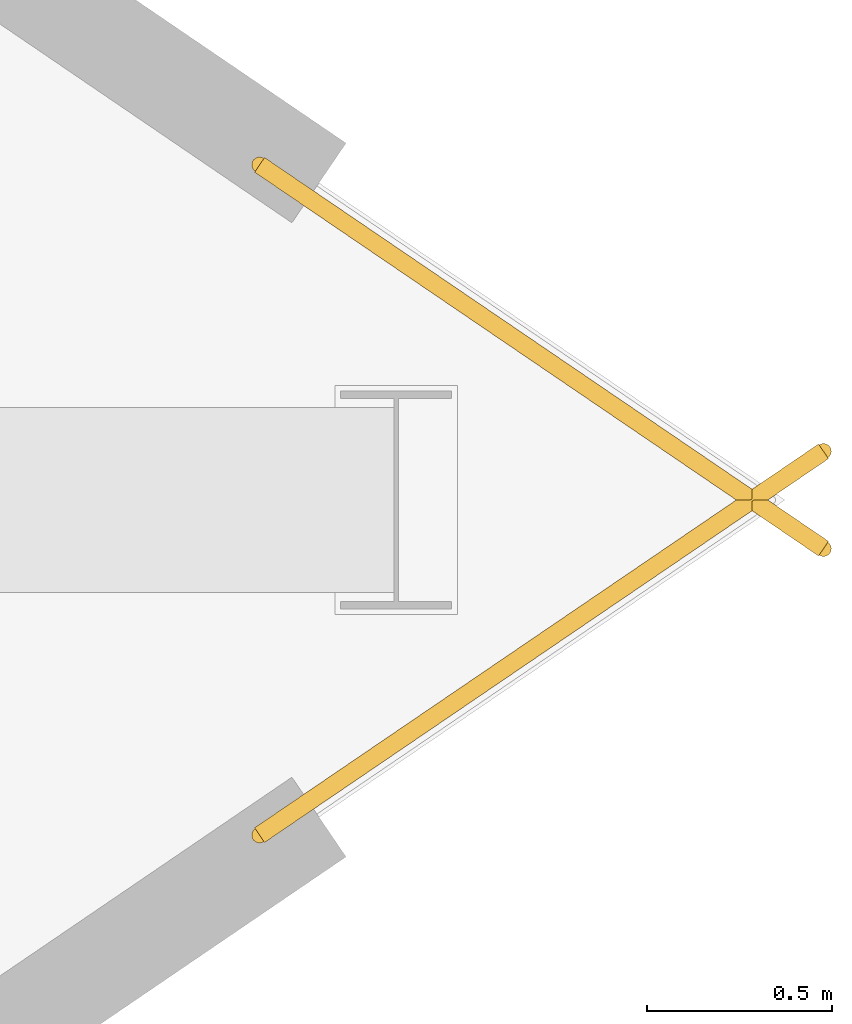
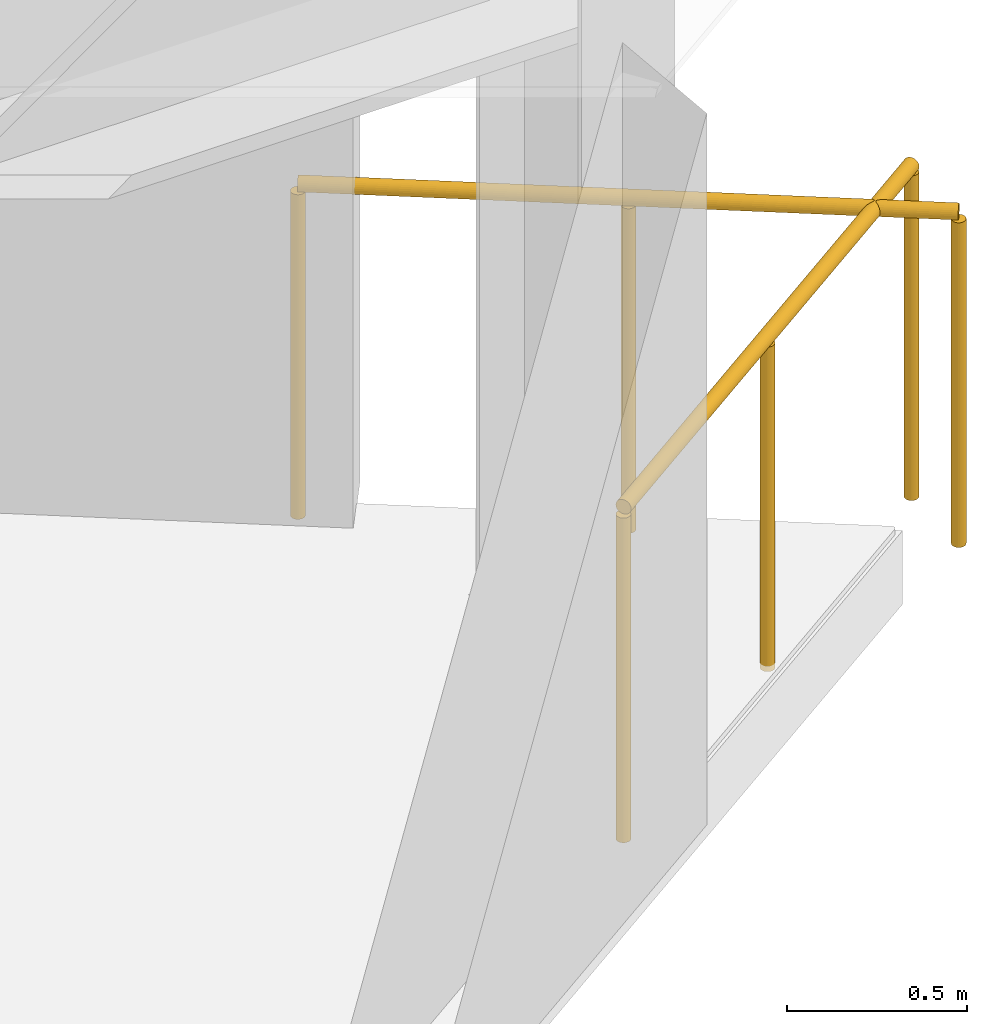
# One storey, part 20 of 20: 2 railings.
"""IFC4 building model written with IfcOpenShell, lengths in metres."""

import ifcopenshell
import ifcopenshell.guid

model = None  # the IFC model being written
_history = None  # IfcOwnerHistory: only IFC2X3 demands one
_inside = {}  # id of a spatial element -> (the spatial element, [elements in it])
_under = {}  # id of a project, library or spatial element -> (it, [spatial elements below it])
_declared = {}  # id of a project -> (the project, [libraries it declares])
_typed = {}  # id of a type object -> (the type object, [elements of that type])
_made_of = {}  # id of a material, layer set ... -> (it, [elements and type objects made of it])


def new_model(schema):
    """Start an empty IFC model of exactly this schema.

    Asked for "IFC4X3", IfcOpenShell would pick the latest addendum, in which some entities
    have other attributes; the version numbers below select the first issue.
    IFC2X3 requires an IfcOwnerHistory on every rooted entity: one is made here for all.
    """
    global model, _history
    if schema == "IFC4X3":
        model = ifcopenshell.file(schema_version=(4, 3, 0, 0))
    else:
        model = ifcopenshell.file(schema=schema)
    _inside.clear()
    _under.clear()
    _declared.clear()
    _typed.clear()
    _made_of.clear()
    _history = None
    if model.schema == "IFC2X3":
        org = make("IfcOrganization", Name="unknown")
        user = make(
            "IfcPersonAndOrganization",
            ThePerson=make("IfcPerson", FamilyName="unknown"),
            TheOrganization=org,
        )
        app = make(
            "IfcApplication",
            ApplicationDeveloper=org,
            Version="unknown",
            ApplicationFullName="unknown",
            ApplicationIdentifier="unknown",
        )
        _history = make(
            "IfcOwnerHistory",
            OwningUser=user,
            OwningApplication=app,
            ChangeAction="ADDED",
            CreationDate=0,
        )
    return model


def make(cls, **values):
    """One entity of the class cls with the attributes given. An attribute that is None is left unset."""
    return model.create_entity(
        cls, **{name: value for name, value in values.items() if value is not None}
    )


def rooted(cls, **values):
    """An entity with a GlobalId (a new one), such as an element, a storey or a relation."""
    return make(cls, GlobalId=ifcopenshell.guid.new(), OwnerHistory=_history, **values)


def si_unit(unit_type, name, prefix=None):
    """IfcSIUnit, for example si_unit("LENGTHUNIT", "METRE", prefix="MILLI")."""
    return make("IfcSIUnit", UnitType=unit_type, Prefix=prefix, Name=name)


def assignment(units):
    """IfcUnitAssignment: the units of a project."""
    return None if units is None else make("IfcUnitAssignment", Units=units)


def point(xyz):
    """IfcCartesianPoint."""
    return None if xyz is None else make("IfcCartesianPoint", Coordinates=xyz)


def direction(xyz):
    """IfcDirection."""
    return None if xyz is None else make("IfcDirection", DirectionRatios=xyz)


def frame(location, z_axis=None, x_axis=None):
    """IfcAxis2Placement3D, a coordinate frame: its origin and axes. An axis left out is left unset."""
    return make(
        "IfcAxis2Placement3D",
        Location=point(location),
        Axis=direction(z_axis),
        RefDirection=direction(x_axis),
    )


def frame_2d(location, x_axis=None):
    """IfcAxis2Placement2D, a coordinate frame in the plane: its origin and x axis."""
    return make(
        "IfcAxis2Placement2D", Location=point(location), RefDirection=direction(x_axis)
    )


def origin():
    """The frame at (0, 0, 0) with its axes left unset."""
    return frame((0.0, 0.0, 0.0))


def origin_2d():
    """The frame at (0, 0) in the plane with its x axis left unset."""
    return frame_2d((0.0, 0.0))


def place(relative_to, where):
    """IfcLocalPlacement: puts the frame where relative to a parent placement (None: the world)."""
    return make(
        "IfcLocalPlacement", PlacementRelTo=relative_to, RelativePlacement=where
    )


def context(
    kind, dimensions, precision=None, world=None, true_north=None, identifier=None
):
    """IfcGeometricRepresentationContext, for example the 3D "Model" context."""
    return make(
        "IfcGeometricRepresentationContext",
        ContextIdentifier=identifier,
        ContextType=kind,
        CoordinateSpaceDimension=dimensions,
        Precision=precision,
        WorldCoordinateSystem=world,
        TrueNorth=true_north,
    )


def subcontext(parent, identifier, kind, view, scale=None):
    """IfcGeometricRepresentationSubContext, for example "Body" below "Model"."""
    return make(
        "IfcGeometricRepresentationSubContext",
        ContextIdentifier=identifier,
        ContextType=kind,
        ParentContext=parent,
        TargetScale=scale,
        TargetView=view,
    )


def project(units=None, contexts=None):
    """IfcProject with its units and contexts."""
    return rooted(
        "IfcProject",
        Name="project",
        RepresentationContexts=contexts,
        UnitsInContext=assignment(units),
    )


def spatial(cls, under=None, at=None, **own):
    """A site, building, storey or space (cls), placed at a placement, below another one or the project."""
    s = rooted(cls, ObjectPlacement=at, **own)
    if under is not None:
        _under.setdefault(under.id(), (under, []))[1].append(s)
    return s


def profile(cls, at=None, kind="AREA", **sizes):
    """A parametric profile (cls). Its sizes go by their IFC names, for example OverallWidth=200.0."""
    return make(cls, ProfileType=kind, Position=at, **sizes)


def circle(**sizes):
    """IfcCircleProfileDef."""
    return profile("IfcCircleProfileDef", **sizes)


def extrude(swept, where, along, depth):
    """IfcExtrudedAreaSolid: the profile swept, set in the frame where, extruded along a direction by depth."""
    return make(
        "IfcExtrudedAreaSolid",
        SweptArea=swept,
        Position=where,
        ExtrudedDirection=direction(along),
        Depth=depth,
    )


def shape(context_of_items, identifier, shape_type, items):
    """IfcShapeRepresentation: the items that make up one representation, for example the "Body"."""
    return make(
        "IfcShapeRepresentation",
        ContextOfItems=context_of_items,
        RepresentationIdentifier=identifier,
        RepresentationType=shape_type,
        Items=items,
    )


def material(Name=None, Category=None):
    """IfcMaterial."""
    return make("IfcMaterial", Name=Name, Category=Category)


def made_of(thing, what):
    """Note that an element or type object is made of a material, layer set ...; save() writes the relation."""
    if what is not None:
        _made_of.setdefault(what.id(), (what, []))[1].append(thing)
    return thing


def type_object(cls, material=None, **own):
    """A type object (cls), such as IfcWallType, which elements share."""
    return made_of(rooted(cls, **own), material)


def element(
    cls,
    number,
    at=None,
    inside=None,
    cuts=None,
    type_object=None,
    material=None,
    context=None,
    identifier="Body",
    shape_type=None,
    held_by="IfcProductDefinitionShape",
    body=None,
    shapes=None,
    **own,
):
    """One element of the class cls, such as IfcWall. Its Tag is "e" and its number.

    at: its placement. inside: the storey or other place that contains it. cuts: it is an
    opening in that element (IfcRelVoidsElement). A single representation is given by context,
    identifier, shape_type and body (its items); several are given by shapes. held_by: the class
    of the entity that holds the representations. save() writes the other relations.
    """
    e = rooted(cls, Tag="e%d" % number, ObjectPlacement=at, **own)
    if body is not None:
        shapes = [shape(context, identifier, shape_type, body)]
    if shapes is not None:
        e.Representation = make(held_by, Representations=shapes)
    if inside is not None:
        _inside.setdefault(inside.id(), (inside, []))[1].append(e)
    if cuts is not None:
        rooted(
            "IfcRelVoidsElement", RelatingBuildingElement=cuts, RelatedOpeningElement=e
        )
    if type_object is not None:
        _typed.setdefault(type_object.id(), (type_object, []))[1].append(e)
    return made_of(e, material)


def aggregate(whole, parts):
    """IfcRelAggregates: a whole, such as a stair, and the parts it consists of."""
    return rooted("IfcRelAggregates", RelatingObject=whole, RelatedObjects=parts)


def save(model, path):
    """Write the relations noted so far, then the file.

    IfcRelAggregates (storeys below a building ...), IfcRelContainedInSpatialStructure (elements
    in a storey), IfcRelDefinesByType, IfcRelAssociatesMaterial and IfcRelDeclares: one each for
    every whole, place, type object, material and project.
    """
    for whole, parts in _under.values():
        aggregate(whole, parts)
    for where, things in _inside.values():
        rooted(
            "IfcRelContainedInSpatialStructure",
            RelatedElements=things,
            RelatingStructure=where,
        )
    for kind, things in _typed.values():
        rooted("IfcRelDefinesByType", RelatedObjects=things, RelatingType=kind)
    for what, things in _made_of.values():
        rooted("IfcRelAssociatesMaterial", RelatedObjects=things, RelatingMaterial=what)
    for by, libraries in _declared.values():
        rooted("IfcRelDeclares", RelatingContext=by, RelatedDefinitions=libraries)
    model.write(path)


model = new_model("IFC4")

# Units and contexts
model_context = context("Model", 3, precision=1e-05, world=origin(), true_north=direction((0.0, 1.0)))
body_context = subcontext(model_context, "Body", "Model", "MODEL_VIEW")
ifc_project = project(units=[si_unit("LENGTHUNIT", "METRE"), si_unit("AREAUNIT", "SQUARE_METRE"), si_unit("VOLUMEUNIT", "CUBIC_METRE"), si_unit("PLANEANGLEUNIT", "RADIAN"), si_unit("MASSUNIT", "GRAM", prefix="KILO")], contexts=[model_context])

# Site, building, storey
site_placement = place(None, origin())
site = spatial("IfcSite", under=ifc_project, at=site_placement, CompositionType="ELEMENT")
building_placement = place(site_placement, origin())
building = spatial("IfcBuilding", under=site, at=building_placement, Name="Menara Vayukalpa", CompositionType="ELEMENT")
storey_placement = place(building_placement, frame((0.0, 0.0, 61.080078125)))
storey = spatial("IfcBuildingStorey", under=building, at=storey_placement, Name="L14", CompositionType="ELEMENT", Elevation=61.080078125)

# Railings
ifc_material = material(Name="Laminated Glass and Stainless Steel 316 Guardrail", Category="steel")
railing_type = type_object("IfcRailingType", Name="RLG-EXT115", PredefinedType="GUARDRAIL", material=ifc_material)
railing_1_placement = place(storey_placement, frame((57.538818359375, 21.094970703125, 0.0)))
element("IfcRailing", 1, at=railing_1_placement, inside=storey, type_object=railing_type, Name="L14 Column Corner Spandrel Guardrail 01-1", PredefinedType="GUARDRAIL", context=body_context, shape_type="SweptSolid", body=[
    extrude(circle(Radius=0.02392578125, at=origin_2d()), frame((0.0, 0.0, 1.1259765625), z_axis=(0.826731715225, 0.562596366004, 0.0), x_axis=(-0.562596366004, 0.826731715225, 0.0)), (0.0, 0.0, 1.0), 1.842041015625),
    extrude(circle(Radius=0.02099609375, at=origin_2d()), origin(), (0.0, 0.0, 1.0), 1.101806640625),
    extrude(circle(Radius=0.02099609375, at=origin_2d()), frame((0.761474609375, 0.51806640625, 0.0)), (0.0, 0.0, 1.0), 1.101806640625),
    extrude(circle(Radius=0.02099609375, at=origin_2d()), frame((1.52294921875, 1.036376953125, 0.0)), (0.0, 0.0, 1.0), 1.101806640625),
])
railing_2_placement = place(storey_placement, frame((59.061767578125, 21.86865234375, 0.0)))
element("IfcRailing", 2, at=railing_2_placement, inside=storey, type_object=railing_type, Name="L14 Column Corner Spandrel Guardrail 02-1", PredefinedType="GUARDRAIL", context=body_context, shape_type="SweptSolid", body=[
    extrude(circle(Radius=0.02392578125, at=origin_2d()), frame((0.0, 0.0, 1.1259765625), z_axis=(-0.826731715225, 0.562596366004, 0.0), x_axis=(-0.562596366004, -0.826731715225, 0.0)), (0.0, 0.0, 1.0), 1.842041015625),
    extrude(circle(Radius=0.02099609375, at=origin_2d()), origin(), (0.0, 0.0, 1.0), 1.101806640625),
    extrude(circle(Radius=0.02099609375, at=origin_2d()), frame((-0.761474609375, 0.51806640625, 0.0)), (0.0, 0.0, 1.0), 1.101806640625),
    extrude(circle(Radius=0.02099609375, at=origin_2d()), frame((-1.52294921875, 1.036376953125, 0.0)), (0.0, 0.0, 1.0), 1.101806640625),
])

save(model, "model.ifc")
